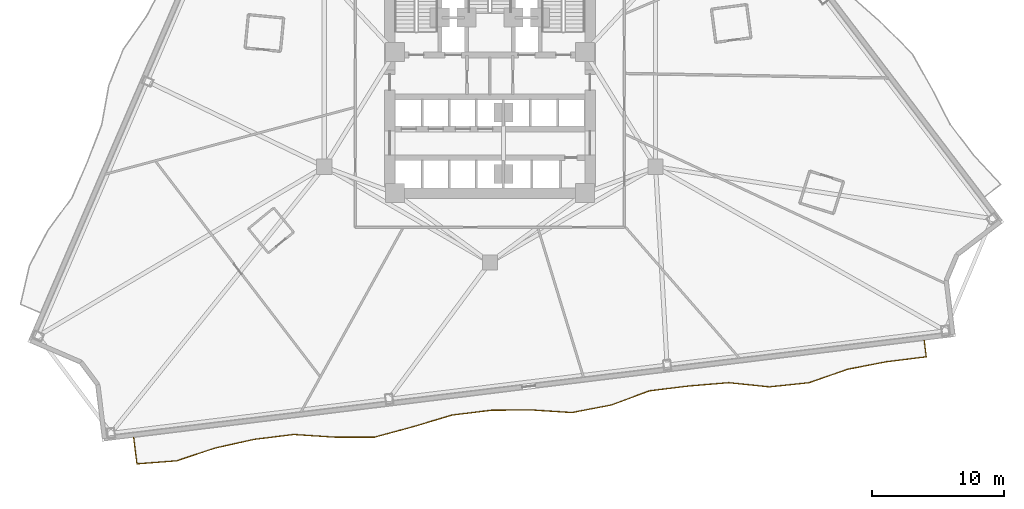
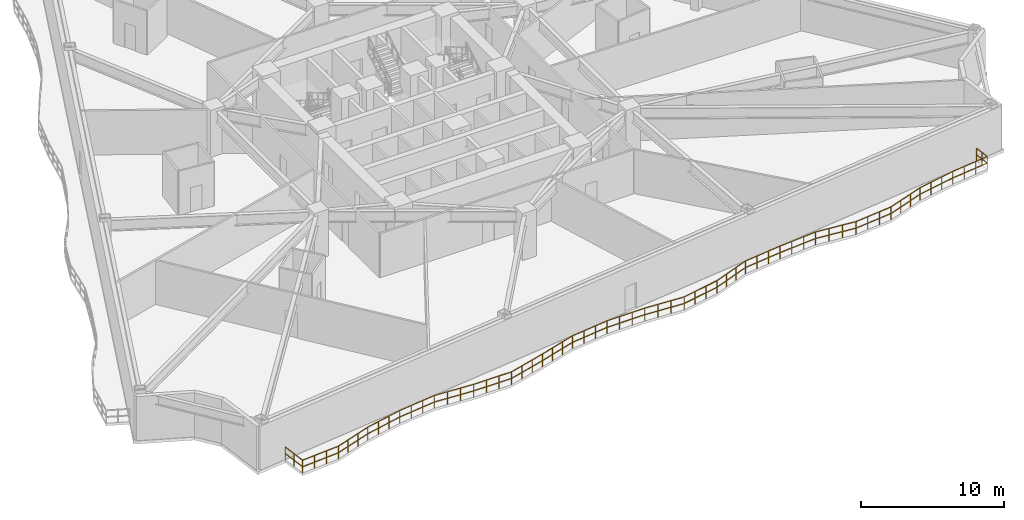
# One storey, part 9 of 13: 1 railing.
"""IFC4 building model written with IfcOpenShell, lengths in metres."""

from ifc_helpers import new_model, si_unit, direction, frame, origin, origin_2d, place, context, subcontext, project, spatial, rectangle, extrude, material, type_object, element, save


model = new_model("IFC4")

# Units and contexts
model_context = context("Model", 3, precision=1e-05, world=origin(), true_north=direction((0.0, 1.0)))
body_context = subcontext(model_context, "Body", "Model", "MODEL_VIEW")
ifc_project = project(units=[si_unit("LENGTHUNIT", "METRE"), si_unit("AREAUNIT", "SQUARE_METRE"), si_unit("VOLUMEUNIT", "CUBIC_METRE"), si_unit("PLANEANGLEUNIT", "RADIAN"), si_unit("MASSUNIT", "GRAM", prefix="KILO")], contexts=[model_context])

# Site, building, storey
site_placement = place(None, origin())
site = spatial("IfcSite", under=ifc_project, at=site_placement, CompositionType="ELEMENT")
building_placement = place(site_placement, origin())
building = spatial("IfcBuilding", under=site, at=building_placement, Name="Apsidion Concourse Tower", CompositionType="ELEMENT")
storey_placement = place(building_placement, frame((0.0, 0.0, 67.0)))
storey = spatial("IfcBuildingStorey", under=building, at=storey_placement, Name="L14", CompositionType="ELEMENT", Elevation=67.0)

# Railing
ifc_material = material(Name="Brushed stainless steel 316", Category="steel")
railing_type = type_object("IfcRailingType", Name="RL-BAL-1120", PredefinedType="BALUSTRADE", material=ifc_material)
railing_placement = place(storey_placement, frame((32.931640625, -20.427734375, 0.0)))
element("IfcRailing", 1, at=railing_placement, inside=storey, type_object=railing_type, Name="L14 Face 2 Rippling Balcony Balustrade", PredefinedType="BALUSTRADE", context=body_context, shape_type="SweptSolid", body=[
    extrude(rectangle(XDim=0.048095703125, YDim=0.048095703125, at=origin_2d()), frame((0.0, 0.0, 1.09619140625), z_axis=(0.121871048404, -0.992545942292, 0.0), x_axis=(0.992545942292, 0.121871048404, 0.0)), (0.0, 0.0, 1.0), 1.25),
    extrude(rectangle(XDim=0.048095703125, YDim=0.048095703125, at=origin_2d()), frame((0.0, 0.0, 0.5361328125), z_axis=(0.121871048404, -0.992545942292, 0.0), x_axis=(0.992545942292, 0.121871048404, 0.0)), (0.0, 0.0, 1.0), 1.25),
    extrude(rectangle(XDim=0.048095703125, YDim=0.048095703125, at=origin_2d()), frame((0.15234375, -1.24072265625, 1.09619140625), z_axis=(-0.992549117334, -0.121845187343, 0.0), x_axis=(0.121845187343, -0.992549117334, 0.0)), (0.0, 0.0, 1.0), 3.01953125),
    extrude(rectangle(XDim=0.048095703125, YDim=0.048095703125, at=origin_2d()), frame((0.15234375, -1.24072265625, 0.5361328125), z_axis=(-0.992549117334, -0.121845187343, 0.0), x_axis=(0.121845187343, -0.992549117334, 0.0)), (0.0, 0.0, 1.0), 3.01953125),
    extrude(rectangle(XDim=0.048095703125, YDim=0.048095703125, at=origin_2d()), frame((-2.8447265625, -1.608642578125, 1.09619140625), z_axis=(-0.981702595585, -0.190420623413, 0.0), x_axis=(0.190420623413, -0.981702595585, 0.0)), (0.0, 0.0, 1.0), 3.027099609375),
    extrude(rectangle(XDim=0.048095703125, YDim=0.048095703125, at=origin_2d()), frame((-2.8447265625, -1.608642578125, 0.5361328125), z_axis=(-0.981702595585, -0.190420623413, 0.0), x_axis=(0.190420623413, -0.981702595585, 0.0)), (0.0, 0.0, 1.0), 3.027099609375),
    extrude(rectangle(XDim=0.048095703125, YDim=0.048095703125, at=origin_2d()), frame((-5.81640625, -2.18505859375, 1.09619140625), z_axis=(-0.944386930732, -0.328836319563, 0.0), x_axis=(0.328836319563, -0.944386930732, 0.0)), (0.0, 0.0, 1.0), 3.08935546875),
    extrude(rectangle(XDim=0.048095703125, YDim=0.048095703125, at=origin_2d()), frame((-5.81640625, -2.18505859375, 0.5361328125), z_axis=(-0.944386930732, -0.328836319563, 0.0), x_axis=(0.328836319563, -0.944386930732, 0.0)), (0.0, 0.0, 1.0), 3.08935546875),
    extrude(rectangle(XDim=0.048095703125, YDim=0.048095703125, at=origin_2d()), frame((-8.73388671875, -3.200927734375, 1.09619140625), z_axis=(-0.994429005592, -0.105408504576, 0.0), x_axis=(0.105408504576, -0.994429005592, 0.0)), (0.0, 0.0, 1.0), 3.020263671875),
    extrude(rectangle(XDim=0.048095703125, YDim=0.048095703125, at=origin_2d()), frame((-8.73388671875, -3.200927734375, 0.5361328125), z_axis=(-0.994429005592, -0.105408504576, 0.0), x_axis=(0.105408504576, -0.994429005592, 0.0)), (0.0, 0.0, 1.0), 3.020263671875),
    extrude(rectangle(XDim=0.048095703125, YDim=0.048095703125, at=origin_2d()), frame((-11.7373046875, -3.519287109375, 1.09619140625), z_axis=(-0.994745069713, 0.102382841737, 0.0), x_axis=(-0.102382841737, -0.994745069713, 0.0)), (0.0, 0.0, 1.0), 3.09765625),
    extrude(rectangle(XDim=0.048095703125, YDim=0.048095703125, at=origin_2d()), frame((-11.7373046875, -3.519287109375, 0.5361328125), z_axis=(-0.994745069713, 0.102382841737, 0.0), x_axis=(-0.102382841737, -0.994745069713, 0.0)), (0.0, 0.0, 1.0), 3.09765625),
    extrude(rectangle(XDim=0.048095703125, YDim=0.048095703125, at=origin_2d()), frame((-14.818603515625, -3.2021484375, 1.09619140625), z_axis=(-0.996665603646, -0.08159457402, 0.0), x_axis=(0.08159457402, -0.996665603646, 0.0)), (0.0, 0.0, 1.0), 3.02197265625),
    extrude(rectangle(XDim=0.048095703125, YDim=0.048095703125, at=origin_2d()), frame((-14.818603515625, -3.2021484375, 0.5361328125), z_axis=(-0.996665603646, -0.08159457402, 0.0), x_axis=(0.08159457402, -0.996665603646, 0.0)), (0.0, 0.0, 1.0), 3.02197265625),
    extrude(rectangle(XDim=0.048095703125, YDim=0.048095703125, at=origin_2d()), frame((-17.83056640625, -3.44873046875, 1.09619140625), z_axis=(-0.992549117334, -0.121845187343, 0.0), x_axis=(0.121845187343, -0.992549117334, 0.0)), (0.0, 0.0, 1.0), 3.01953125),
    extrude(rectangle(XDim=0.048095703125, YDim=0.048095703125, at=origin_2d()), frame((-17.83056640625, -3.44873046875, 0.5361328125), z_axis=(-0.992549117334, -0.121845187343, 0.0), x_axis=(0.121845187343, -0.992549117334, 0.0)), (0.0, 0.0, 1.0), 3.01953125),
    extrude(rectangle(XDim=0.048095703125, YDim=0.048095703125, at=origin_2d()), frame((-20.82763671875, -3.816650390625, 1.09619140625), z_axis=(-0.937769636989, -0.347257984704, 0.0), x_axis=(0.347257984704, -0.937769636989, 0.0)), (0.0, 0.0, 1.0), 3.103271484375),
    extrude(rectangle(XDim=0.048095703125, YDim=0.048095703125, at=origin_2d()), frame((-20.82763671875, -3.816650390625, 0.5361328125), z_axis=(-0.937769636989, -0.347257984704, 0.0), x_axis=(0.347257984704, -0.937769636989, 0.0)), (0.0, 0.0, 1.0), 3.103271484375),
    extrude(rectangle(XDim=0.048095703125, YDim=0.048095703125, at=origin_2d()), frame((-23.73779296875, -4.894287109375, 1.09619140625), z_axis=(-0.982038653412, -0.188679843135, 0.0), x_axis=(0.188679843135, -0.982038653412, 0.0)), (0.0, 0.0, 1.0), 3.026611328125),
    extrude(rectangle(XDim=0.048095703125, YDim=0.048095703125, at=origin_2d()), frame((-23.73779296875, -4.894287109375, 0.5361328125), z_axis=(-0.982038653412, -0.188679843135, 0.0), x_axis=(0.188679843135, -0.982038653412, 0.0)), (0.0, 0.0, 1.0), 3.026611328125),
    extrude(rectangle(XDim=0.048095703125, YDim=0.048095703125, at=origin_2d()), frame((-26.7099609375, -5.46533203125, 1.09619140625), z_axis=(-0.99793747576, 0.06419341457, 0.0), x_axis=(-0.06419341457, -0.99793747576, 0.0)), (0.0, 0.0, 1.0), 3.072998046875),
    extrude(rectangle(XDim=0.048095703125, YDim=0.048095703125, at=origin_2d()), frame((-26.7099609375, -5.46533203125, 0.5361328125), z_axis=(-0.99793747576, 0.06419341457, 0.0), x_axis=(-0.06419341457, -0.99793747576, 0.0)), (0.0, 0.0, 1.0), 3.072998046875),
    extrude(rectangle(XDim=0.048095703125, YDim=0.048095703125, at=origin_2d()), frame((-29.776611328125, -5.26806640625, 1.09619140625), z_axis=(-0.99997724351, -0.006746292543, 0.0), x_axis=(0.006746292543, -0.99997724351, 0.0)), (0.0, 0.0, 1.0), 3.039794921875),
    extrude(rectangle(XDim=0.048095703125, YDim=0.048095703125, at=origin_2d()), frame((-29.776611328125, -5.26806640625, 0.5361328125), z_axis=(-0.99997724351, -0.006746292543, 0.0), x_axis=(0.006746292543, -0.99997724351, 0.0)), (0.0, 0.0, 1.0), 3.039794921875),
    extrude(rectangle(XDim=0.048095703125, YDim=0.048095703125, at=origin_2d()), frame((-32.81640625, -5.28857421875, 1.09619140625), z_axis=(-0.992539336111, -0.121924838616, 0.0), x_axis=(0.121924838616, -0.992539336111, 0.0)), (0.0, 0.0, 1.0), 3.01953125),
    extrude(rectangle(XDim=0.048095703125, YDim=0.048095703125, at=origin_2d()), frame((-32.81640625, -5.28857421875, 0.5361328125), z_axis=(-0.992539336111, -0.121924838616, 0.0), x_axis=(0.121924838616, -0.992539336111, 0.0)), (0.0, 0.0, 1.0), 3.01953125),
    extrude(rectangle(XDim=0.048095703125, YDim=0.048095703125, at=origin_2d()), frame((-35.8134765625, -5.65673828125, 1.09619140625), z_axis=(-0.957841637735, -0.287296705552, 0.0), x_axis=(0.287296705552, -0.957841637735, 0.0)), (0.0, 0.0, 1.0), 3.0634765625),
    extrude(rectangle(XDim=0.048095703125, YDim=0.048095703125, at=origin_2d()), frame((-35.8134765625, -5.65673828125, 0.5361328125), z_axis=(-0.957841637735, -0.287296705552, 0.0), x_axis=(0.287296705552, -0.957841637735, 0.0)), (0.0, 0.0, 1.0), 3.0634765625),
    extrude(rectangle(XDim=0.048095703125, YDim=0.048095703125, at=origin_2d()), frame((-38.747802734375, -6.536865234375, 1.09619140625), z_axis=(-0.965170817281, -0.261620514236, 0.0), x_axis=(0.261620514236, -0.965170817281, 0.0)), (0.0, 0.0, 1.0), 3.050537109375),
    extrude(rectangle(XDim=0.048095703125, YDim=0.048095703125, at=origin_2d()), frame((-38.747802734375, -6.536865234375, 0.5361328125), z_axis=(-0.965170817281, -0.261620514236, 0.0), x_axis=(0.261620514236, -0.965170817281, 0.0)), (0.0, 0.0, 1.0), 3.050537109375),
    extrude(rectangle(XDim=0.048095703125, YDim=0.048095703125, at=origin_2d()), frame((-41.692138671875, -7.3349609375, 1.09619140625), z_axis=(-0.999997477101, 0.002246283944, 0.0), x_axis=(-0.002246283944, -0.999997477101, 0.0)), (0.0, 0.0, 1.0), 3.043212890625),
    extrude(rectangle(XDim=0.048095703125, YDim=0.048095703125, at=origin_2d()), frame((-41.692138671875, -7.3349609375, 0.5361328125), z_axis=(-0.999997477101, 0.002246283944, 0.0), x_axis=(-0.002246283944, -0.999997477101, 0.0)), (0.0, 0.0, 1.0), 3.043212890625),
    extrude(rectangle(XDim=0.048095703125, YDim=0.048095703125, at=origin_2d()), frame((-44.7353515625, -7.328125, 1.09619140625), z_axis=(-0.99789175321, 0.064900299504, 0.0), x_axis=(-0.064900299504, -0.99789175321, 0.0)), (0.0, 0.0, 1.0), 3.073486328125),
    extrude(rectangle(XDim=0.048095703125, YDim=0.048095703125, at=origin_2d()), frame((-44.7353515625, -7.328125, 0.5361328125), z_axis=(-0.99789175321, 0.064900299504, 0.0), x_axis=(-0.064900299504, -0.99789175321, 0.0)), (0.0, 0.0, 1.0), 3.073486328125),
    extrude(rectangle(XDim=0.048095703125, YDim=0.048095703125, at=origin_2d()), frame((-47.80224609375, -7.128662109375, 1.09619140625), z_axis=(-0.992550317551, -0.121835409998, 0.0), x_axis=(0.121835409998, -0.992550317551, 0.0)), (0.0, 0.0, 1.0), 3.019775390625),
    extrude(rectangle(XDim=0.048095703125, YDim=0.048095703125, at=origin_2d()), frame((-47.80224609375, -7.128662109375, 0.5361328125), z_axis=(-0.992550317551, -0.121835409998, 0.0), x_axis=(0.121835409998, -0.992550317551, 0.0)), (0.0, 0.0, 1.0), 3.019775390625),
    extrude(rectangle(XDim=0.048095703125, YDim=0.048095703125, at=origin_2d()), frame((-50.799560546875, -7.49658203125, 1.09619140625), z_axis=(-0.9763534217, -0.216180470752, 0.0), x_axis=(0.216180470752, -0.9763534217, 0.0)), (0.0, 0.0, 1.0), 3.033447265625),
    extrude(rectangle(XDim=0.048095703125, YDim=0.048095703125, at=origin_2d()), frame((-50.799560546875, -7.49658203125, 0.5361328125), z_axis=(-0.9763534217, -0.216180470752, 0.0), x_axis=(0.216180470752, -0.9763534217, 0.0)), (0.0, 0.0, 1.0), 3.033447265625),
    extrude(rectangle(XDim=0.048095703125, YDim=0.048095703125, at=origin_2d()), frame((-53.76123046875, -8.15234375, 1.09619140625), z_axis=(-0.948897064157, -0.315585743713, 0.0), x_axis=(0.315585743713, -0.948897064157, 0.0)), (0.0, 0.0, 1.0), 3.08056640625),
    extrude(rectangle(XDim=0.048095703125, YDim=0.048095703125, at=origin_2d()), frame((-53.76123046875, -8.15234375, 0.5361328125), z_axis=(-0.948897064157, -0.315585743713, 0.0), x_axis=(0.315585743713, -0.948897064157, 0.0)), (0.0, 0.0, 1.0), 3.08056640625),
    extrude(rectangle(XDim=0.048095703125, YDim=0.048095703125, at=origin_2d()), frame((-56.684326171875, -9.12451171875, 1.09619140625), z_axis=(-0.9970952037, -0.076165312036, 0.0), x_axis=(0.076165312036, -0.9970952037, 0.0)), (0.0, 0.0, 1.0), 3.022705078125),
    extrude(rectangle(XDim=0.048095703125, YDim=0.048095703125, at=origin_2d()), frame((-56.684326171875, -9.12451171875, 0.5361328125), z_axis=(-0.9970952037, -0.076165312036, 0.0), x_axis=(0.076165312036, -0.9970952037, 0.0)), (0.0, 0.0, 1.0), 3.022705078125),
    extrude(rectangle(XDim=0.048095703125, YDim=0.048095703125, at=origin_2d()), frame((-59.6982421875, -9.354736328125, 1.09619140625), z_axis=(-0.121956382638, 0.992535460693, 0.0), x_axis=(-0.992535460693, -0.121956382638, 0.0)), (0.0, 0.0, 1.0), 2.009765625),
    extrude(rectangle(XDim=0.048095703125, YDim=0.048095703125, at=origin_2d()), frame((-59.6982421875, -9.354736328125, 0.5361328125), z_axis=(-0.121956382638, 0.992535460693, 0.0), x_axis=(-0.992535460693, -0.121956382638, 0.0)), (0.0, 0.0, 1.0), 2.009765625),
    extrude(rectangle(XDim=0.0419921875, YDim=0.0419921875, at=origin_2d()), origin(), (0.0, 0.0, 1.0), 1.072021484375),
    extrude(rectangle(XDim=0.0419921875, YDim=0.0419921875, at=origin_2d()), frame((0.076171875, -0.620361328125, 0.0)), (0.0, 0.0, 1.0), 1.072021484375),
    extrude(rectangle(XDim=0.0419921875, YDim=0.0419921875, at=origin_2d()), frame((0.15234375, -1.24072265625, 0.0)), (0.0, 0.0, 1.0), 1.072021484375),
    extrude(rectangle(XDim=0.0419921875, YDim=0.0419921875, at=origin_2d()), frame((-0.8466796875, -1.36328125, 0.0)), (0.0, 0.0, 1.0), 1.072021484375),
    extrude(rectangle(XDim=0.0419921875, YDim=0.0419921875, at=origin_2d()), frame((-1.845703125, -1.486083984375, 0.0)), (0.0, 0.0, 1.0), 1.072021484375),
    extrude(rectangle(XDim=0.0419921875, YDim=0.0419921875, at=origin_2d()), frame((-2.8447265625, -1.608642578125, 0.0)), (0.0, 0.0, 1.0), 1.072021484375),
    extrude(rectangle(XDim=0.0419921875, YDim=0.0419921875, at=origin_2d()), frame((-3.835205078125, -1.80078125, 0.0)), (0.0, 0.0, 1.0), 1.072021484375),
    extrude(rectangle(XDim=0.0419921875, YDim=0.0419921875, at=origin_2d()), frame((-4.825927734375, -1.992919921875, 0.0)), (0.0, 0.0, 1.0), 1.072021484375),
    extrude(rectangle(XDim=0.0419921875, YDim=0.0419921875, at=origin_2d()), frame((-5.81640625, -2.18505859375, 0.0)), (0.0, 0.0, 1.0), 1.072021484375),
    extrude(rectangle(XDim=0.0419921875, YDim=0.0419921875, at=origin_2d()), frame((-6.788818359375, -2.523681640625, 0.0)), (0.0, 0.0, 1.0), 1.072021484375),
    extrude(rectangle(XDim=0.0419921875, YDim=0.0419921875, at=origin_2d()), frame((-7.761474609375, -2.8623046875, 0.0)), (0.0, 0.0, 1.0), 1.072021484375),
    extrude(rectangle(XDim=0.0419921875, YDim=0.0419921875, at=origin_2d()), frame((-8.73388671875, -3.200927734375, 0.0)), (0.0, 0.0, 1.0), 1.072021484375),
    extrude(rectangle(XDim=0.0419921875, YDim=0.0419921875, at=origin_2d()), frame((-9.735107421875, -3.30712890625, 0.0)), (0.0, 0.0, 1.0), 1.072021484375),
    extrude(rectangle(XDim=0.0419921875, YDim=0.0419921875, at=origin_2d()), frame((-10.736083984375, -3.4130859375, 0.0)), (0.0, 0.0, 1.0), 1.072021484375),
    extrude(rectangle(XDim=0.0419921875, YDim=0.0419921875, at=origin_2d()), frame((-11.7373046875, -3.519287109375, 0.0)), (0.0, 0.0, 1.0), 1.072021484375),
    extrude(rectangle(XDim=0.0419921875, YDim=0.0419921875, at=origin_2d()), frame((-12.764404296875, -3.41357421875, 0.0)), (0.0, 0.0, 1.0), 1.072021484375),
    extrude(rectangle(XDim=0.0419921875, YDim=0.0419921875, at=origin_2d()), frame((-13.79150390625, -3.307861328125, 0.0)), (0.0, 0.0, 1.0), 1.072021484375),
    extrude(rectangle(XDim=0.0419921875, YDim=0.0419921875, at=origin_2d()), frame((-14.818603515625, -3.2021484375, 0.0)), (0.0, 0.0, 1.0), 1.072021484375),
    extrude(rectangle(XDim=0.0419921875, YDim=0.0419921875, at=origin_2d()), frame((-15.822509765625, -3.284423828125, 0.0)), (0.0, 0.0, 1.0), 1.072021484375),
    extrude(rectangle(XDim=0.0419921875, YDim=0.0419921875, at=origin_2d()), frame((-16.82666015625, -3.366455078125, 0.0)), (0.0, 0.0, 1.0), 1.072021484375),
    extrude(rectangle(XDim=0.0419921875, YDim=0.0419921875, at=origin_2d()), frame((-17.83056640625, -3.44873046875, 0.0)), (0.0, 0.0, 1.0), 1.072021484375),
    extrude(rectangle(XDim=0.0419921875, YDim=0.0419921875, at=origin_2d()), frame((-18.82958984375, -3.5712890625, 0.0)), (0.0, 0.0, 1.0), 1.072021484375),
    extrude(rectangle(XDim=0.0419921875, YDim=0.0419921875, at=origin_2d()), frame((-19.82861328125, -3.694091796875, 0.0)), (0.0, 0.0, 1.0), 1.072021484375),
    extrude(rectangle(XDim=0.0419921875, YDim=0.0419921875, at=origin_2d()), frame((-20.82763671875, -3.816650390625, 0.0)), (0.0, 0.0, 1.0), 1.072021484375),
    extrude(rectangle(XDim=0.0419921875, YDim=0.0419921875, at=origin_2d()), frame((-21.797607421875, -4.17578125, 0.0)), (0.0, 0.0, 1.0), 1.072021484375),
    extrude(rectangle(XDim=0.0419921875, YDim=0.0419921875, at=origin_2d()), frame((-22.767822265625, -4.53515625, 0.0)), (0.0, 0.0, 1.0), 1.072021484375),
    extrude(rectangle(XDim=0.0419921875, YDim=0.0419921875, at=origin_2d()), frame((-23.73779296875, -4.894287109375, 0.0)), (0.0, 0.0, 1.0), 1.072021484375),
    extrude(rectangle(XDim=0.0419921875, YDim=0.0419921875, at=origin_2d()), frame((-24.728515625, -5.084716796875, 0.0)), (0.0, 0.0, 1.0), 1.072021484375),
    extrude(rectangle(XDim=0.0419921875, YDim=0.0419921875, at=origin_2d()), frame((-25.71923828125, -5.27490234375, 0.0)), (0.0, 0.0, 1.0), 1.072021484375),
    extrude(rectangle(XDim=0.0419921875, YDim=0.0419921875, at=origin_2d()), frame((-26.7099609375, -5.46533203125, 0.0)), (0.0, 0.0, 1.0), 1.072021484375),
    extrude(rectangle(XDim=0.0419921875, YDim=0.0419921875, at=origin_2d()), frame((-27.732177734375, -5.399658203125, 0.0)), (0.0, 0.0, 1.0), 1.072021484375),
    extrude(rectangle(XDim=0.0419921875, YDim=0.0419921875, at=origin_2d()), frame((-28.75439453125, -5.333740234375, 0.0)), (0.0, 0.0, 1.0), 1.072021484375),
    extrude(rectangle(XDim=0.0419921875, YDim=0.0419921875, at=origin_2d()), frame((-29.776611328125, -5.26806640625, 0.0)), (0.0, 0.0, 1.0), 1.072021484375),
    extrude(rectangle(XDim=0.0419921875, YDim=0.0419921875, at=origin_2d()), frame((-30.789794921875, -5.27490234375, 0.0)), (0.0, 0.0, 1.0), 1.072021484375),
    extrude(rectangle(XDim=0.0419921875, YDim=0.0419921875, at=origin_2d()), frame((-31.80322265625, -5.28173828125, 0.0)), (0.0, 0.0, 1.0), 1.072021484375),
    extrude(rectangle(XDim=0.0419921875, YDim=0.0419921875, at=origin_2d()), frame((-32.81640625, -5.28857421875, 0.0)), (0.0, 0.0, 1.0), 1.072021484375),
    extrude(rectangle(XDim=0.0419921875, YDim=0.0419921875, at=origin_2d()), frame((-33.8154296875, -5.411376953125, 0.0)), (0.0, 0.0, 1.0), 1.072021484375),
    extrude(rectangle(XDim=0.0419921875, YDim=0.0419921875, at=origin_2d()), frame((-34.814453125, -5.533935546875, 0.0)), (0.0, 0.0, 1.0), 1.072021484375),
    extrude(rectangle(XDim=0.0419921875, YDim=0.0419921875, at=origin_2d()), frame((-35.8134765625, -5.65673828125, 0.0)), (0.0, 0.0, 1.0), 1.072021484375),
    extrude(rectangle(XDim=0.0419921875, YDim=0.0419921875, at=origin_2d()), frame((-36.79150390625, -5.9501953125, 0.0)), (0.0, 0.0, 1.0), 1.072021484375),
    extrude(rectangle(XDim=0.0419921875, YDim=0.0419921875, at=origin_2d()), frame((-37.769775390625, -6.243408203125, 0.0)), (0.0, 0.0, 1.0), 1.072021484375),
    extrude(rectangle(XDim=0.0419921875, YDim=0.0419921875, at=origin_2d()), frame((-38.747802734375, -6.536865234375, 0.0)), (0.0, 0.0, 1.0), 1.072021484375),
    extrude(rectangle(XDim=0.0419921875, YDim=0.0419921875, at=origin_2d()), frame((-39.729248046875, -6.802978515625, 0.0)), (0.0, 0.0, 1.0), 1.072021484375),
    extrude(rectangle(XDim=0.0419921875, YDim=0.0419921875, at=origin_2d()), frame((-40.710693359375, -7.06884765625, 0.0)), (0.0, 0.0, 1.0), 1.072021484375),
    extrude(rectangle(XDim=0.0419921875, YDim=0.0419921875, at=origin_2d()), frame((-41.692138671875, -7.3349609375, 0.0)), (0.0, 0.0, 1.0), 1.072021484375),
    extrude(rectangle(XDim=0.0419921875, YDim=0.0419921875, at=origin_2d()), frame((-42.70654296875, -7.332763671875, 0.0)), (0.0, 0.0, 1.0), 1.072021484375),
    extrude(rectangle(XDim=0.0419921875, YDim=0.0419921875, at=origin_2d()), frame((-43.720947265625, -7.330322265625, 0.0)), (0.0, 0.0, 1.0), 1.072021484375),
    extrude(rectangle(XDim=0.0419921875, YDim=0.0419921875, at=origin_2d()), frame((-44.7353515625, -7.328125, 0.0)), (0.0, 0.0, 1.0), 1.072021484375),
    extrude(rectangle(XDim=0.0419921875, YDim=0.0419921875, at=origin_2d()), frame((-45.757568359375, -7.26171875, 0.0)), (0.0, 0.0, 1.0), 1.072021484375),
    extrude(rectangle(XDim=0.0419921875, YDim=0.0419921875, at=origin_2d()), frame((-46.780029296875, -7.195068359375, 0.0)), (0.0, 0.0, 1.0), 1.072021484375),
    extrude(rectangle(XDim=0.0419921875, YDim=0.0419921875, at=origin_2d()), frame((-47.80224609375, -7.128662109375, 0.0)), (0.0, 0.0, 1.0), 1.072021484375),
    extrude(rectangle(XDim=0.0419921875, YDim=0.0419921875, at=origin_2d()), frame((-48.80126953125, -7.251220703125, 0.0)), (0.0, 0.0, 1.0), 1.072021484375),
    extrude(rectangle(XDim=0.0419921875, YDim=0.0419921875, at=origin_2d()), frame((-49.800537109375, -7.3740234375, 0.0)), (0.0, 0.0, 1.0), 1.072021484375),
    extrude(rectangle(XDim=0.0419921875, YDim=0.0419921875, at=origin_2d()), frame((-50.799560546875, -7.49658203125, 0.0)), (0.0, 0.0, 1.0), 1.072021484375),
    extrude(rectangle(XDim=0.0419921875, YDim=0.0419921875, at=origin_2d()), frame((-51.786865234375, -7.715087890625, 0.0)), (0.0, 0.0, 1.0), 1.072021484375),
    extrude(rectangle(XDim=0.0419921875, YDim=0.0419921875, at=origin_2d()), frame((-52.77392578125, -7.933837890625, 0.0)), (0.0, 0.0, 1.0), 1.072021484375),
    extrude(rectangle(XDim=0.0419921875, YDim=0.0419921875, at=origin_2d()), frame((-53.76123046875, -8.15234375, 0.0)), (0.0, 0.0, 1.0), 1.072021484375),
    extrude(rectangle(XDim=0.0419921875, YDim=0.0419921875, at=origin_2d()), frame((-54.735595703125, -8.476318359375, 0.0)), (0.0, 0.0, 1.0), 1.072021484375),
    extrude(rectangle(XDim=0.0419921875, YDim=0.0419921875, at=origin_2d()), frame((-55.7099609375, -8.800537109375, 0.0)), (0.0, 0.0, 1.0), 1.072021484375),
    extrude(rectangle(XDim=0.0419921875, YDim=0.0419921875, at=origin_2d()), frame((-56.684326171875, -9.12451171875, 0.0)), (0.0, 0.0, 1.0), 1.072021484375),
    extrude(rectangle(XDim=0.0419921875, YDim=0.0419921875, at=origin_2d()), frame((-57.68896484375, -9.201171875, 0.0)), (0.0, 0.0, 1.0), 1.072021484375),
    extrude(rectangle(XDim=0.0419921875, YDim=0.0419921875, at=origin_2d()), frame((-58.693603515625, -9.278076171875, 0.0)), (0.0, 0.0, 1.0), 1.072021484375),
    extrude(rectangle(XDim=0.0419921875, YDim=0.0419921875, at=origin_2d()), frame((-59.6982421875, -9.354736328125, 0.0)), (0.0, 0.0, 1.0), 1.072021484375),
    extrude(rectangle(XDim=0.0419921875, YDim=0.0419921875, at=origin_2d()), frame((-59.82080078125, -8.357421875, 0.0)), (0.0, 0.0, 1.0), 1.072021484375),
    extrude(rectangle(XDim=0.0419921875, YDim=0.0419921875, at=origin_2d()), frame((-59.943359375, -7.35986328125, 0.0)), (0.0, 0.0, 1.0), 1.072021484375),
])

save(model, "model.ifc")
